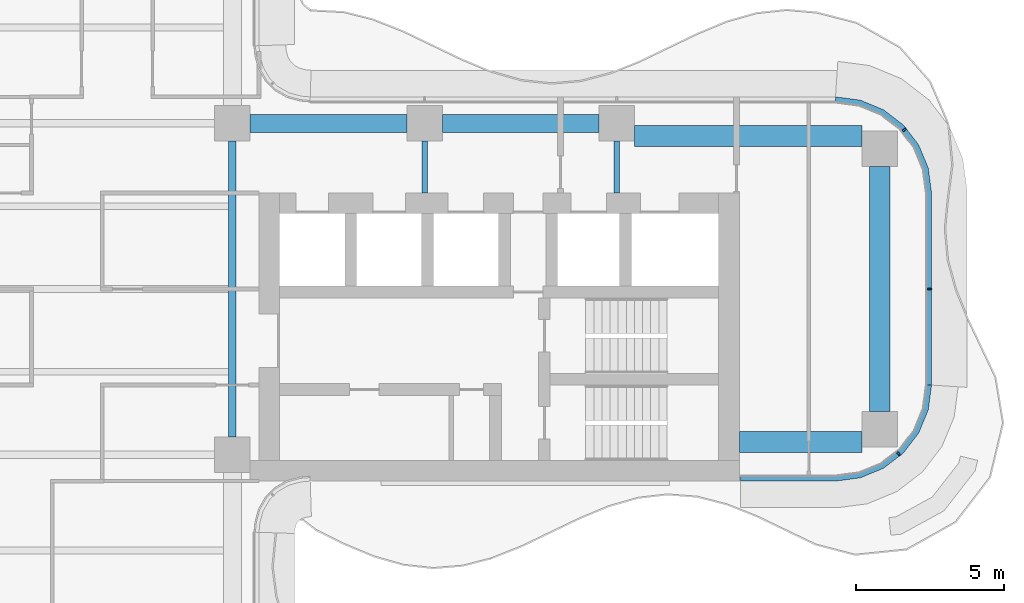
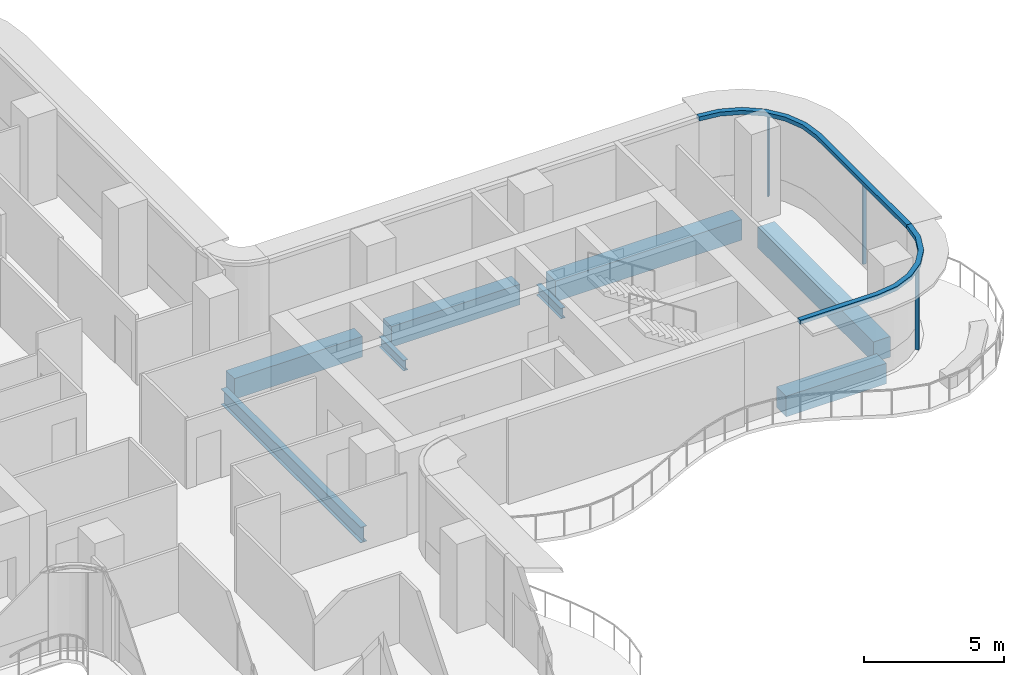
# One storey, part 6 of 17: 8 beams, 5 members, 2 elements without a shape of their own.
"""IFC4 building model written with IfcOpenShell, lengths in metres."""

from ifc_helpers import new_model, si_unit, direction, frame, origin, origin_2d, place, context, subcontext, project, spatial, polyline, rectangle, i_section, outline, extrude, source, transform, mapped, material, layer, layer_set, material_profile, profile_set, type_object, element, aggregate, save


model = new_model("IFC4")

# Units and contexts
model_context = context("Model", 3, precision=1e-05, world=origin(), true_north=direction((0.0, 1.0)))
body_context = subcontext(model_context, "Body", "Model", "MODEL_VIEW")
ifc_project = project(units=[si_unit("LENGTHUNIT", "METRE"), si_unit("AREAUNIT", "SQUARE_METRE"), si_unit("VOLUMEUNIT", "CUBIC_METRE"), si_unit("PLANEANGLEUNIT", "RADIAN"), si_unit("MASSUNIT", "GRAM", prefix="KILO")], contexts=[model_context])

# Site, building, storey
site_placement = place(None, origin())
site = spatial("IfcSite", under=ifc_project, at=site_placement, CompositionType="ELEMENT")
building_placement = place(site_placement, origin())
building = spatial("IfcBuilding", under=site, at=building_placement, Name="Trellis Farm Tower", CompositionType="ELEMENT")
storey_placement = place(building_placement, frame((0.0, 0.0, 165.89990234375)))
storey = spatial("IfcBuildingStorey", under=building, at=storey_placement, Name="L35", CompositionType="ELEMENT", Elevation=165.89990234375)

# Beams
ifc_material_1 = material(Name="Concrete C60/75", Category="concrete")
ifc_material_profile_1 = material_profile(ifc_material_1, rectangle(XDim=0.60009765625, YDim=0.89990234375, at=origin_2d()), Name="RC spandrel beam 600x900 C60/75")
ifc_profile_set_1 = profile_set([ifc_material_profile_1], Name="Concrete C60/75")
beam_type_1 = type_object("IfcBeamType", Name="RC spandrel beam 600x900 C60/75", PredefinedType="SPANDREL", material=ifc_profile_set_1)
shared_shape_1 = source(origin(), body_context, "Body", "SweptSolid", [
    extrude(rectangle(XDim=0.60009765625, YDim=0.89990234375, at=origin_2d()), origin(), (0.0, 0.0, 1.0), 5.300048828125),
])
for number, where, z_axis, x_axis, name in (
    (1, (6.199951171875, 5.60009765625, -0.64990234375), (1.0, 0.0, 0.0), (0.0, 1.0, 0.0), "Girder"),
    (2, (12.699951171875, 5.60009765625, -0.64990234375), (1.0, 0.0, 0.0), (0.0, 1.0, 0.0), "Girder"),
):
    element("IfcBeam", number, at=place(storey_placement, frame(where, z_axis=z_axis, x_axis=x_axis)), inside=storey, type_object=beam_type_1, Name=name, PredefinedType="SPANDREL", context=body_context, shape_type="MappedRepresentation", body=[
        mapped(shared_shape_1, transform((0.0, 0.0, 0.0))),
    ])
ifc_material_2 = material(Name="Steel S355", Category="steel")
ifc_material_profile_2 = material_profile(ifc_material_2, i_section(OverallWidth=0.253662109375, OverallDepth=0.68359375, WebThickness=0.012451171875, FlangeThickness=0.021728515625, FilletRadius=0.01513671875, at=origin_2d()), Name="UB 686x254x140")
ifc_profile_set_2 = profile_set([ifc_material_profile_2], Name="Steel S355")
beam_type_2 = type_object("IfcBeamType", Name="UB 686x254x140", PredefinedType="BEAM", material=ifc_profile_set_2)
shared_shape_2 = source(origin(), body_context, "Body", "SweptSolid", [
    extrude(i_section(OverallWidth=0.253662109375, OverallDepth=0.68359375, WebThickness=0.012451171875, FlangeThickness=0.021728515625, FilletRadius=0.01513671875, at=origin_2d()), origin(), (0.0, 0.0, 1.0), 10.0),
])
beam_1_placement = place(storey_placement, frame((5.60009765625, -5.0, -0.54150390625), z_axis=(0.0, 1.0, 0.0), x_axis=(-1.0, 0.0, 0.0)))
element("IfcBeam", 3, at=beam_1_placement, inside=storey, type_object=beam_type_2, Name="Girder", PredefinedType="BEAM", context=body_context, shape_type="MappedRepresentation", body=[
    mapped(shared_shape_2, transform((0.0, 0.0, 0.0))),
])
ifc_material_profile_3 = material_profile(ifc_material_1, rectangle(XDim=0.699951171875, YDim=0.89990234375, at=origin_2d()), Name="RC spandrel beam 700x900 C60/75")
ifc_profile_set_3 = profile_set([ifc_material_profile_3], Name="Concrete C60/75")
beam_type_3 = type_object("IfcBeamType", Name="RC spandrel beam 700x900 C60/75", PredefinedType="SPANDREL", material=ifc_profile_set_3)
shared_shape_3 = source(origin(), body_context, "Body", "SweptSolid", [
    extrude(rectangle(XDim=0.699951171875, YDim=0.89990234375, at=origin_2d()), origin(), (0.0, 0.0, 1.0), 8.2998046875),
])
beam_2_placement = place(storey_placement, frame((27.5, -4.14990234375, -0.64990234375), z_axis=(0.0, 1.0, 0.0), x_axis=(-1.0, 0.0, 0.0)))
element("IfcBeam", 4, at=beam_2_placement, inside=storey, type_object=beam_type_3, Name="Girder", PredefinedType="SPANDREL", context=body_context, shape_type="MappedRepresentation", body=[
    mapped(shared_shape_3, transform((0.0, 0.0, 0.0))),
])
ifc_material_profile_4 = material_profile(ifc_material_2, i_section(OverallWidth=0.1904296875, OverallDepth=0.45703125, WebThickness=0.009033203125, FlangeThickness=0.014404296875, FilletRadius=0.01025390625, at=origin_2d()), Name="UB 457x191x74")
ifc_profile_set_4 = profile_set([ifc_material_profile_4], Name="Steel S355")
beam_type_4 = type_object("IfcBeamType", Name="UB 457x191x74", PredefinedType="BEAM", material=ifc_profile_set_4)
shared_shape_4 = source(origin(), body_context, "Body", "SweptSolid", [
    extrude(i_section(OverallWidth=0.1904296875, OverallDepth=0.45703125, WebThickness=0.009033203125, FlangeThickness=0.014404296875, FilletRadius=0.01025390625, at=origin_2d()), origin(), (0.0, 0.0, 1.0), 1.75),
])
for number, where, z_axis, x_axis, name in (
    (5, (12.10009765625, 3.25, -0.428466796875), (0.0, 1.0, 0.0), (-1.0, 0.0, 0.0), "Girder"),
    (6, (18.60009765625, 3.25, -0.428466796875), (0.0, 1.0, 0.0), (-1.0, 0.0, 0.0), "Girder"),
):
    element("IfcBeam", number, at=place(storey_placement, frame(where, z_axis=z_axis, x_axis=x_axis)), inside=storey, type_object=beam_type_4, Name=name, PredefinedType="BEAM", context=body_context, shape_type="MappedRepresentation", body=[
        mapped(shared_shape_4, transform((0.0, 0.0, 0.0))),
    ])
shared_shape_5 = source(origin(), body_context, "Body", "SweptSolid", [
    extrude(rectangle(XDim=0.699951171875, YDim=0.89990234375, at=origin_2d()), origin(), (0.0, 0.0, 1.0), 7.699951171875),
])
beam_3_placement = place(storey_placement, frame((19.199951171875, 5.175048828125, -0.64990234375), z_axis=(1.0, 0.0, 0.0), x_axis=(0.0, 1.0, 0.0)))
element("IfcBeam", 7, at=beam_3_placement, inside=storey, type_object=beam_type_3, Name="Girder", PredefinedType="SPANDREL", context=body_context, shape_type="MappedRepresentation", body=[
    mapped(shared_shape_5, transform((0.0, 0.0, 0.0))),
])
shared_shape_6 = source(origin(), body_context, "Body", "SweptSolid", [
    extrude(rectangle(XDim=0.699951171875, YDim=0.89990234375, at=origin_2d()), origin(), (0.0, 0.0, 1.0), 4.14990234375),
])
beam_4_placement = place(storey_placement, frame((22.75, -5.175048828125, -0.64990234375), z_axis=(1.0, 0.0, 0.0), x_axis=(0.0, 1.0, 0.0)))
element("IfcBeam", 8, at=beam_4_placement, inside=storey, type_object=beam_type_3, Name="Girder", PredefinedType="SPANDREL", context=body_context, shape_type="MappedRepresentation", body=[
    mapped(shared_shape_6, transform((0.0, 0.0, 0.0))),
])

# Curtain wall, member
ifc_material_3 = material(Name="Aluminium and glass curtain wall", Category="aluminium")
ifc_layer_1 = layer(ifc_material_3, 0.18994140625)
ifc_layer_set_1 = layer_set([ifc_layer_1], Name="RIBBON CURTAIN WALL CW1")
curtain_wall_type = type_object("IfcCurtainWallType", Name="RIBBON CURTAIN WALL CW1", PredefinedType="NOTDEFINED", material=ifc_layer_set_1)
placement_1 = place(storey_placement, origin())
curtain_wall_1 = element("IfcCurtainWall", 9, at=placement_1, inside=storey, type_object=curtain_wall_type, Name="CW1 006", PredefinedType="NOTDEFINED")
ifc_material_4 = material(Name="Aluminium extrusion 6063-T6", Category="aluminium")
ifc_material_profile_5 = material_profile(ifc_material_4, rectangle(XDim=0.06005859375, YDim=0.14990234375, at=origin_2d()), Name="MULLION 60x150")
ifc_profile_set_5 = profile_set([ifc_material_profile_5], Name="Aluminium extrusion 6063-T6")
member_type_1 = type_object("IfcMemberType", Name="CW1 MULLION 60x150", PredefinedType="MULLION", material=ifc_profile_set_5)
shared_shape_7 = source(origin(), body_context, "Body", "SweptSolid", [
    extrude(rectangle(XDim=0.06005859375, YDim=0.14990234375, at=origin_2d()), origin(), (0.0, 0.0, 1.0), 3.52001953125),
])
member_1_placement = place(storey_placement, frame((28.135498046875, -5.578369140625, 0.0), z_axis=(0.0, 0.0, 1.0), x_axis=(0.793353340291, 0.608761429009, 0.0)))
member_1 = element("IfcMember", 10, at=member_1_placement, type_object=member_type_1, Name="MU1 006-01", PredefinedType="MULLION", context=body_context, shape_type="MappedRepresentation", body=[
    mapped(shared_shape_7, transform((0.0, 0.0, 0.0))),
])

# Curtain wall, members
curtain_wall_2 = element("IfcCurtainWall", 11, at=placement_1, inside=storey, type_object=curtain_wall_type, Name="CW1 007", PredefinedType="NOTDEFINED")
member_2_placement = place(storey_placement, frame((29.175048828125, 0.0, 0.0), z_axis=(0.0, 0.0, 1.0), x_axis=(0.0, 1.0, 0.0)))
member_2 = element("IfcMember", 12, at=member_2_placement, type_object=member_type_1, Name="MU1 007-01", PredefinedType="MULLION", context=body_context, shape_type="MappedRepresentation", body=[
    mapped(shared_shape_7, transform((0.0, 0.0, 0.0))),
])
member_3_placement = place(storey_placement, frame((28.328369140625, 5.385498046875, 0.0), z_axis=(0.0, 0.0, 1.0), x_axis=(-0.608761429009, 0.793353340291, 0.0)))
member_3 = element("IfcMember", 13, at=member_3_placement, type_object=member_type_1, Name="MU1 007-02", PredefinedType="MULLION", context=body_context, shape_type="MappedRepresentation", body=[
    mapped(shared_shape_7, transform((0.0, 0.0, 0.0))),
])

# Member
ifc_layer_2 = layer(ifc_material_4, 0.199951171875)
ifc_layer_set_2 = layer_set([ifc_layer_2], Name="Aluminium extrusion 6063-T6")
member_type_2 = type_object("IfcMemberType", Name="CW1 TRANSOM 200x180", PredefinedType="USERDEFINED", material=ifc_layer_set_2)
shared_shape_8 = source(origin(), body_context, "Body", "SweptSolid", [
    extrude(outline(polyline([(22.780029296875, -6.5), (26.0, -6.5), (26.841064453125, -6.38916015625), (27.625, -6.064697265625), (28.298095703125, -5.548095703125), (28.814697265625, -4.875), (29.13916015625, -4.091064453125), (29.25, -3.25), (29.050048828125, -3.23681640625), (28.9443359375, -4.0390625), (28.639892578125, -4.774169921875), (28.155517578125, -5.405517578125), (27.524169921875, -5.889892578125), (26.7890625, -6.1943359375), (25.98681640625, -6.300048828125), (22.780029296875, -6.300048828125), (22.780029296875, -6.5)])), origin(), (0.0, 0.0, 1.0), 0.18017578125),
])
placement_2 = place(storey_placement, frame((0.0, 0.0, 3.52001953125)))
member_4 = element("IfcMember", 14, at=placement_2, type_object=member_type_2, Name="TR1 006", ObjectType="TRANSOM", PredefinedType="USERDEFINED", context=body_context, shape_type="MappedRepresentation", body=[
    mapped(shared_shape_8, transform((0.0, 0.0, 0.0))),
])

aggregate(curtain_wall_1, [member_1, member_4])

shared_shape_9 = source(origin(), body_context, "Body", "SweptSolid", [
    extrude(outline(polyline([(29.25, -3.25), (29.25, 3.25), (29.13916015625, 4.091064453125), (28.814697265625, 4.875), (28.298095703125, 5.548095703125), (27.625, 6.064697265625), (26.841064453125, 6.38916015625), (26.0, 6.5), (25.98681640625, 6.300048828125), (26.7890625, 6.1943359375), (27.524169921875, 5.889892578125), (28.155517578125, 5.405517578125), (28.639892578125, 4.774169921875), (28.9443359375, 4.0390625), (29.050048828125, 3.23681640625), (29.050048828125, -3.23681640625), (29.25, -3.25)])), origin(), (0.0, 0.0, 1.0), 0.18017578125),
])
member_5 = element("IfcMember", 15, at=placement_2, type_object=member_type_2, Name="TR1 007", ObjectType="TRANSOM", PredefinedType="USERDEFINED", context=body_context, shape_type="MappedRepresentation", body=[
    mapped(shared_shape_9, transform((0.0, 0.0, 0.0))),
])

aggregate(curtain_wall_2, [member_2, member_3, member_5])

save(model, "model.ifc")
